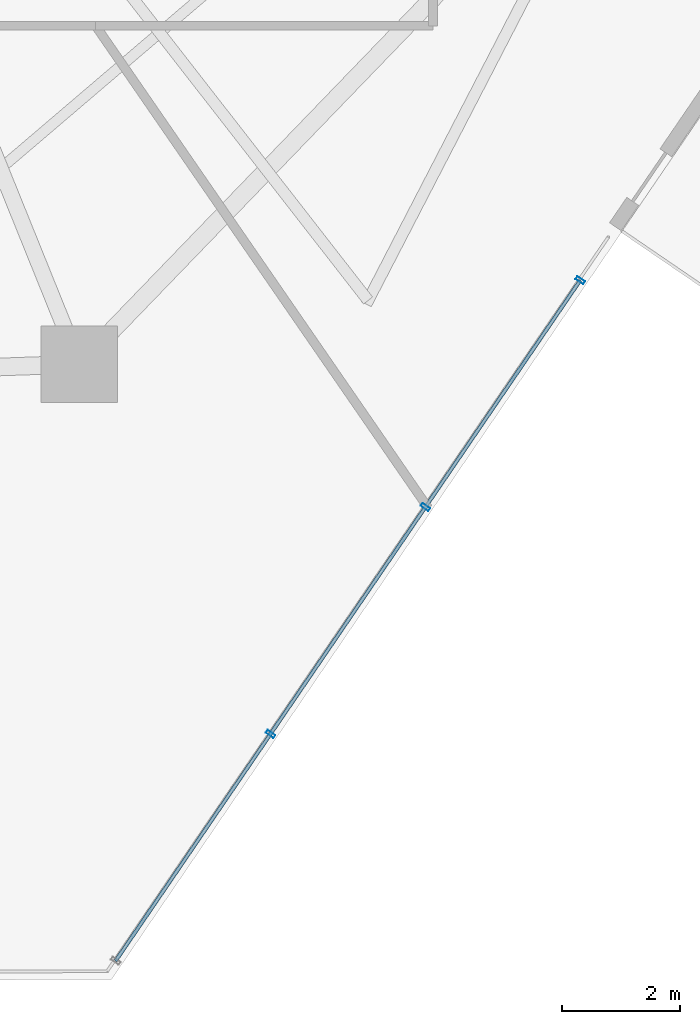
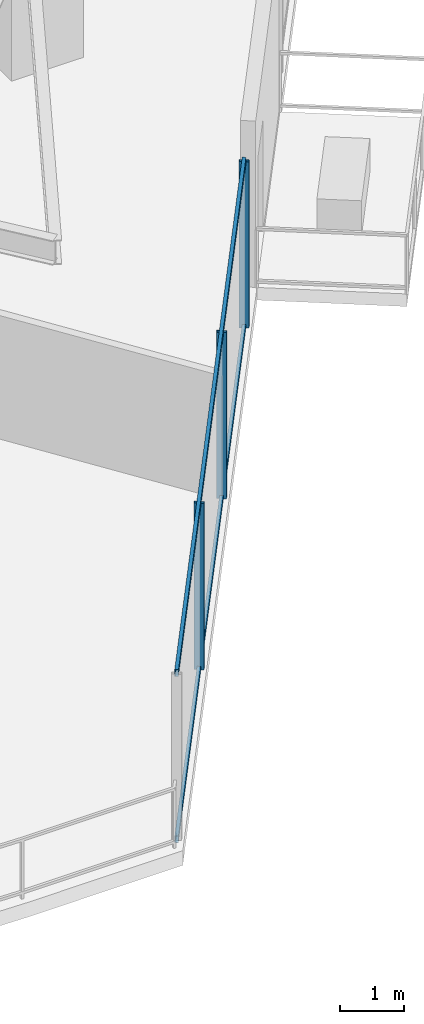
# One storey, part 11 of 30: 5 members, 1 element without a shape of its own.
"""IFC4 building model written with IfcOpenShell, lengths in metres."""

from ifc_helpers import new_model, si_unit, direction, frame, origin, origin_2d, place, context, subcontext, project, spatial, hollow_rectangle, extrude, material, layer, layer_set, material_profile, profile_set, type_object, element, aggregate, save


model = new_model("IFC4")

# Units and contexts
model_context = context("Model", 3, precision=1e-05, world=origin(), true_north=direction((0.0, 1.0)))
body_context = subcontext(model_context, "Body", "Model", "MODEL_VIEW")
ifc_project = project(units=[si_unit("LENGTHUNIT", "METRE"), si_unit("AREAUNIT", "SQUARE_METRE"), si_unit("VOLUMEUNIT", "CUBIC_METRE"), si_unit("PLANEANGLEUNIT", "RADIAN"), si_unit("MASSUNIT", "GRAM", prefix="KILO")], contexts=[model_context])

# Site, building, storey
site_placement = place(None, origin())
site = spatial("IfcSite", under=ifc_project, at=site_placement, CompositionType="ELEMENT")
building_placement = place(site_placement, origin())
building = spatial("IfcBuilding", under=site, at=building_placement, Name="Qarnah Convention Tower", CompositionType="ELEMENT")
storey_placement = place(building_placement, frame((0.0, 0.0, 51.14990234375)))
storey = spatial("IfcBuildingStorey", under=building, at=storey_placement, Name="L12", CompositionType="ELEMENT", Elevation=51.14990234375)

# Curtain wall, members
ifc_material_1 = material(Name="Tempered Low-E dark glass", Category="glass")
ifc_layer = layer(ifc_material_1, 0.16796875)
ifc_layer_set = layer_set([ifc_layer], Name="Tempered Low-E dark glass")
curtain_wall_type = type_object("IfcCurtainWallType", Name="CWS-01", PredefinedType="NOTDEFINED", material=ifc_layer_set)
curtain_wall_placement = place(storey_placement, origin())
curtain_wall = element("IfcCurtainWall", 1, at=curtain_wall_placement, inside=storey, type_object=curtain_wall_type, Name="L12 unitised curtain wall CW-L12-F4", PredefinedType="NOTDEFINED")
ifc_material_2 = material(Name="Black anodised aluminium", Category="aluminium")
ifc_material_profile_1 = material_profile(ifc_material_2, hollow_rectangle(XDim=0.06005859375, YDim=0.159912109375, WallThickness=0.00390625, at=origin_2d()), Name="MUL-60X160")
ifc_profile_set_1 = profile_set([ifc_material_profile_1], Name="Black anodised aluminium")
member_type_1 = type_object("IfcMemberType", Name="MUL-T1", PredefinedType="MULLION", material=ifc_profile_set_1)
member_1_placement = place(storey_placement, frame((51.903076171875, 12.47998046875, 0.0), z_axis=(0.0, 0.0, 1.0), x_axis=(-0.563804705, -0.825908139335, 0.0)))
member_1 = element("IfcMember", 2, at=member_1_placement, type_object=member_type_1, Name="CW-L12-F4 mullion 1", PredefinedType="MULLION", context=body_context, shape_type="SweptSolid", body=[
    extrude(hollow_rectangle(XDim=0.06005859375, YDim=0.159912109375, WallThickness=0.00390625, at=origin_2d()), origin(), (0.0, 0.0, 1.0), 3.170166015625),
])
member_2_placement = place(storey_placement, frame((49.273681640625, 8.62841796875, 0.0), z_axis=(0.0, 0.0, 1.0), x_axis=(-0.563804705, -0.825908139335, 0.0)))
member_2 = element("IfcMember", 3, at=member_2_placement, type_object=member_type_1, Name="CW-L12-F4 mullion 2", PredefinedType="MULLION", context=body_context, shape_type="SweptSolid", body=[
    extrude(hollow_rectangle(XDim=0.06005859375, YDim=0.159912109375, WallThickness=0.00390625, at=origin_2d()), origin(), (0.0, 0.0, 1.0), 3.170166015625),
])
member_3_placement = place(storey_placement, frame((46.644287109375, 4.776611328125, 0.0), z_axis=(0.0, 0.0, 1.0), x_axis=(-0.563804705, -0.825908139335, 0.0)))
member_3 = element("IfcMember", 4, at=member_3_placement, type_object=member_type_1, Name="CW-L12-F4 mullion 3", PredefinedType="MULLION", context=body_context, shape_type="SweptSolid", body=[
    extrude(hollow_rectangle(XDim=0.06005859375, YDim=0.159912109375, WallThickness=0.00390625, at=origin_2d()), origin(), (0.0, 0.0, 1.0), 3.170166015625),
])
ifc_material_profile_2 = material_profile(ifc_material_2, hollow_rectangle(XDim=0.06005859375, YDim=0.1298828125, WallThickness=0.00390625, at=origin_2d()), Name="TRN-60X130")
ifc_profile_set_2 = profile_set([ifc_material_profile_2], Name="Black anodised aluminium")
member_type_2 = type_object("IfcMemberType", Name="TRN-T1", PredefinedType="USERDEFINED", material=ifc_profile_set_2)
member_4_placement = place(storey_placement, frame((51.903076171875, 12.47998046875, 0.0), z_axis=(-0.563815933526, -0.82590047409, 0.0), x_axis=(0.82590047409, -0.563815933526, 0.0)))
member_4 = element("IfcMember", 5, at=member_4_placement, type_object=member_type_2, Name="CW-L12-F4 transom 1", ObjectType="TRANSOM", PredefinedType="USERDEFINED", context=body_context, shape_type="SweptSolid", body=[
    extrude(hollow_rectangle(XDim=0.06005859375, YDim=0.1298828125, WallThickness=0.00390625, at=origin_2d()), origin(), (0.0, 0.0, 1.0), 13.99072265625),
])
member_5_placement = place(storey_placement, frame((51.903076171875, 12.47998046875, 3.170166015625), z_axis=(-0.563815933526, -0.82590047409, 0.0), x_axis=(0.82590047409, -0.563815933526, 0.0)))
member_5 = element("IfcMember", 6, at=member_5_placement, type_object=member_type_2, Name="CW-L12-F4 transom 2", ObjectType="TRANSOM", PredefinedType="USERDEFINED", context=body_context, shape_type="SweptSolid", body=[
    extrude(hollow_rectangle(XDim=0.06005859375, YDim=0.1298828125, WallThickness=0.00390625, at=origin_2d()), origin(), (0.0, 0.0, 1.0), 13.99072265625),
])
aggregate(curtain_wall, [member_1, member_2, member_3, member_4, member_5])

save(model, "model.ifc")
